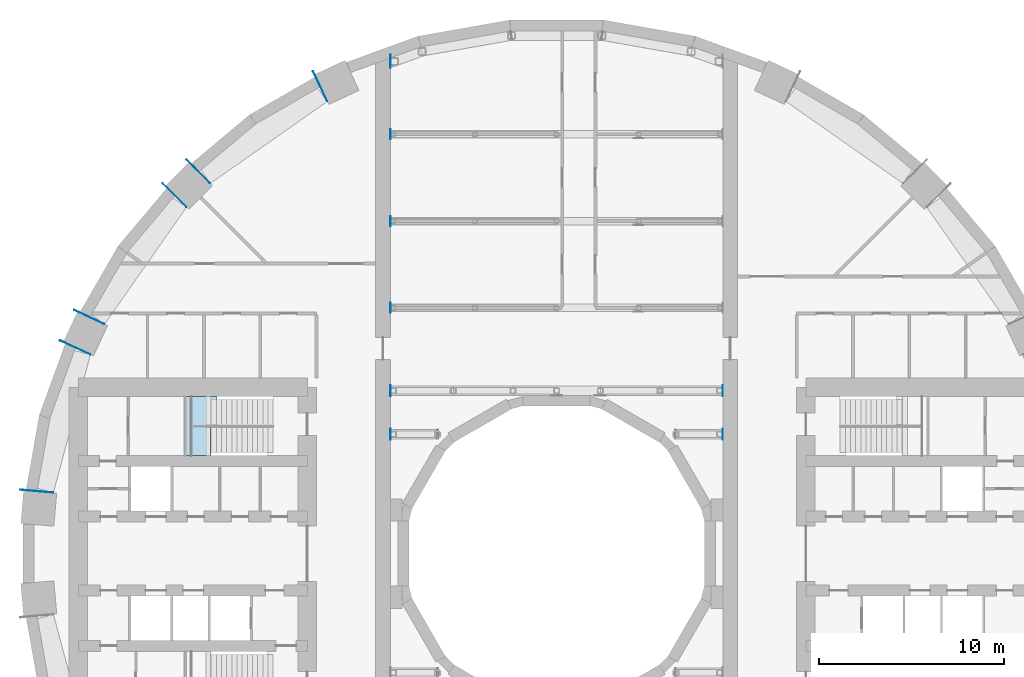
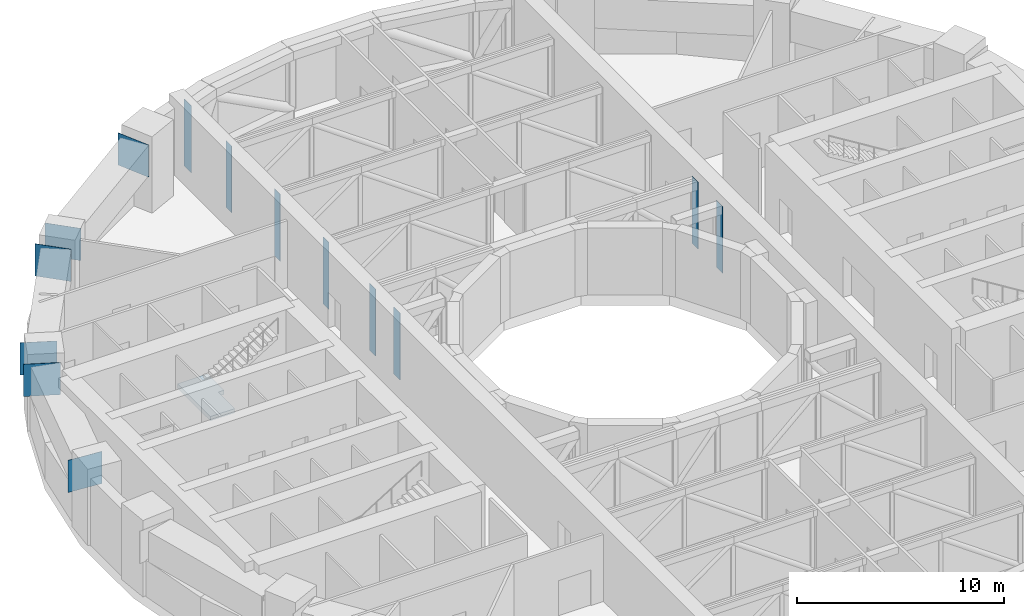
# One storey, part 11 of 21: 14 plates, 1 slab, 1 element without a shape of its own.
"""IFC4 building model written with IfcOpenShell, lengths in metres."""

from ifc_helpers import new_model, si_unit, direction, frame, origin, place, context, subcontext, project, spatial, polyline, outline, extrude, material, layer, layer_set, type_object, element, aggregate, save


model = new_model("IFC4")

# Units and contexts
model_context = context("Model", 3, precision=1e-05, world=origin(), true_north=direction((0.0, 1.0)))
body_context = subcontext(model_context, "Body", "Model", "MODEL_VIEW")
ifc_project = project(units=[si_unit("LENGTHUNIT", "METRE"), si_unit("AREAUNIT", "SQUARE_METRE"), si_unit("VOLUMEUNIT", "CUBIC_METRE"), si_unit("PLANEANGLEUNIT", "RADIAN"), si_unit("MASSUNIT", "GRAM", prefix="KILO")], contexts=[model_context])

# Site, building, storey
site_placement = place(None, origin())
site = spatial("IfcSite", under=ifc_project, at=site_placement, CompositionType="ELEMENT")
building_placement = place(site_placement, origin())
building = spatial("IfcBuilding", under=site, at=building_placement, Name="Saqina Gate Tower", CompositionType="ELEMENT")
storey_placement = place(building_placement, frame((0.0, 0.0, 21.800048828125)))
storey = spatial("IfcBuildingStorey", under=building, at=storey_placement, Name="L05", CompositionType="ELEMENT", Elevation=21.800048828125)

# Stair, slab
ifc_material_1 = material(Name="Concrete C40/50", Category="concrete")
stair_type = type_object("IfcStairType", Name="EXIT STAIR", PredefinedType="HALF_TURN_STAIR", material=ifc_material_1)
stair_placement = place(storey_placement, origin())
stair = element("IfcStair", 1, at=stair_placement, inside=storey, type_object=stair_type, Name="EXIT STAIR 3", PredefinedType="HALF_TURN_STAIR")
ifc_material_2 = material(Name="Concrete C40/50", Category="concrete")
ifc_layer_1 = layer(ifc_material_2, 0.25)
ifc_layer_set_1 = layer_set([ifc_layer_1], Name="Concrete C40/50")
slab_type = type_object("IfcSlabType", Name="EXIT STAIR LANDING", PredefinedType="LANDING", material=ifc_layer_set_1)
slab_placement = place(storey_placement, frame((0.0, 0.0, 2.0)))
slab = element("IfcSlab", 2, at=slab_placement, type_object=slab_type, Name="EXIT STAIR 3 LANDING 1", PredefinedType="LANDING", context=body_context, shape_type="SweptSolid", body=[
    extrude(outline(polyline([(-18.705078125, 5.300048828125), (-20.06005859375, 5.300048828125), (-20.06005859375, 8.5), (-18.7099609375, 8.5), (-18.705078125, 8.5), (-18.384765625, 8.5), (-18.384765625, 6.89990234375), (-18.705078125, 6.89990234375), (-18.705078125, 5.300048828125)])), origin(), (0.0, 0.0, 1.0), 0.25),
])
aggregate(stair, [slab])

# Plates
ifc_material_3 = material(Name="Steel S460", Category="steel")
ifc_layer_2 = layer(ifc_material_3, 0.01806640625)
ifc_layer_set_2 = layer_set([ifc_layer_2], Name="Steel S460")
plate_type = type_object("IfcPlateType", Name="STR-BEARING PLATE", PredefinedType="USERDEFINED", material=ifc_layer_set_2)
plate_1_placement = place(storey_placement, origin())
element("IfcPlate", 3, at=plate_1_placement, inside=storey, type_object=plate_type, Name="BEARING PLATE L05 01", ObjectType="EMBED PLATE", PredefinedType="USERDEFINED", context=body_context, shape_type="SweptSolid", body=[
    extrude(outline(polyline([(-8.98193359375, 26.296142578125), (-8.98193359375, 26.996337890625), (-9.0, 26.996337890625), (-9.0, 26.296142578125), (-8.98193359375, 26.296142578125)])), origin(), (0.0, 0.0, 1.0), 3.949951171875),
])
plate_2_placement = place(storey_placement, origin())
element("IfcPlate", 4, at=plate_2_placement, inside=storey, type_object=plate_type, Name="BEARING PLATE L05 05", ObjectType="EMBED PLATE", PredefinedType="USERDEFINED", context=body_context, shape_type="SweptSolid", body=[
    extrude(outline(polyline([(-8.98193359375, 8.52099609375), (-8.98193359375, 9.12109375), (-9.0, 9.12109375), (-9.0, 8.52099609375), (-8.98193359375, 8.52099609375)])), origin(), (0.0, 0.0, 1.0), 3.949951171875),
])
plate_3_placement = place(storey_placement, origin())
element("IfcPlate", 5, at=plate_3_placement, inside=storey, type_object=plate_type, Name="BEARING PLATE L05 06", ObjectType="EMBED PLATE", PredefinedType="USERDEFINED", context=body_context, shape_type="SweptSolid", body=[
    extrude(outline(polyline([(9.0, 8.52099609375), (9.0, 9.12109375), (8.98193359375, 9.12109375), (8.98193359375, 8.52099609375), (9.0, 8.52099609375)])), origin(), (0.0, 0.0, 1.0), 3.949951171875),
])
plate_4_placement = place(storey_placement, origin())
element("IfcPlate", 6, at=plate_4_placement, inside=storey, type_object=plate_type, Name="BEARING PLATE L05 09", ObjectType="EMBED PLATE", PredefinedType="USERDEFINED", context=body_context, shape_type="SweptSolid", body=[
    extrude(outline(polyline([(-8.98193359375, 13.02490234375), (-8.98193359375, 13.574951171875), (-9.0, 13.574951171875), (-9.0, 13.02490234375), (-8.98193359375, 13.02490234375)])), origin(), (0.0, 0.0, 1.0), 3.949951171875),
])
plate_5_placement = place(storey_placement, origin())
element("IfcPlate", 7, at=plate_5_placement, inside=storey, type_object=plate_type, Name="BEARING PLATE L05 13", ObjectType="EMBED PLATE", PredefinedType="USERDEFINED", context=body_context, shape_type="SweptSolid", body=[
    extrude(outline(polyline([(-8.98193359375, 17.72509765625), (-8.98193359375, 18.27490234375), (-9.0, 18.27490234375), (-9.0, 17.72509765625), (-8.98193359375, 17.72509765625)])), origin(), (0.0, 0.0, 1.0), 3.949951171875),
])
plate_6_placement = place(storey_placement, origin())
element("IfcPlate", 8, at=plate_6_placement, inside=storey, type_object=plate_type, Name="BEARING PLATE L05 17", ObjectType="EMBED PLATE", PredefinedType="USERDEFINED", context=body_context, shape_type="SweptSolid", body=[
    extrude(outline(polyline([(-8.98193359375, 22.425048828125), (-8.98193359375, 22.97509765625), (-9.0, 22.97509765625), (-9.0, 22.425048828125), (-8.98193359375, 22.425048828125)])), origin(), (0.0, 0.0, 1.0), 3.949951171875),
])
plate_7_placement = place(storey_placement, origin())
element("IfcPlate", 9, at=plate_7_placement, inside=storey, type_object=plate_type, Name="BEARING PLATE L05 21", ObjectType="EMBED PLATE", PredefinedType="USERDEFINED", context=body_context, shape_type="SweptSolid", body=[
    extrude(outline(polyline([(9.0, 6.157470703125), (9.0, 6.757568359375), (8.98193359375, 6.757568359375), (8.98193359375, 6.157470703125), (9.0, 6.157470703125)])), origin(), (0.0, 0.0, 1.0), 3.949951171875),
])
plate_8_placement = place(storey_placement, origin())
element("IfcPlate", 10, at=plate_8_placement, inside=storey, type_object=plate_type, Name="BEARING PLATE L05 22", ObjectType="EMBED PLATE", PredefinedType="USERDEFINED", context=body_context, shape_type="SweptSolid", body=[
    extrude(outline(polyline([(-8.98193359375, 6.157470703125), (-8.98193359375, 6.757568359375), (-9.0, 6.757568359375), (-9.0, 6.157470703125), (-8.98193359375, 6.157470703125)])), origin(), (0.0, 0.0, 1.0), 3.949951171875),
])
plate_9_placement = place(storey_placement, frame((0.0, 0.0, 2.050048828125)))
element("IfcPlate", 11, at=plate_9_placement, inside=storey, type_object=plate_type, Name="BEARING PLATE L05 GIRDER 4 W", ObjectType="EMBED PLATE", PredefinedType="USERDEFINED", context=body_context, shape_type="SweptSolid", body=[
    extrude(outline(polyline([(-13.1923828125, 26.118896484375), (-12.431640625, 24.487548828125), (-12.415283203125, 24.4951171875), (-13.176025390625, 26.12646484375), (-13.1923828125, 26.118896484375)])), origin(), (0.0, 0.0, 1.0), 1.89990234375),
])
plate_10_placement = place(storey_placement, frame((0.0, 0.0, 2.050048828125)))
element("IfcPlate", 12, at=plate_10_placement, inside=storey, type_object=plate_type, Name="BEARING PLATE L05 GIRDER 4 E", ObjectType="EMBED PLATE", PredefinedType="USERDEFINED", context=body_context, shape_type="SweptSolid", body=[
    extrude(outline(polyline([(-18.7587890625, 20.05712890625), (-20.031494140625, 21.329833984375), (-20.04443359375, 21.317138671875), (-18.771484375, 20.04443359375), (-18.7587890625, 20.05712890625)])), origin(), (0.0, 0.0, 1.0), 1.89990234375),
])
plate_11_placement = place(storey_placement, frame((0.0, 0.0, 2.050048828125)))
element("IfcPlate", 13, at=plate_11_placement, inside=storey, type_object=plate_type, Name="BEARING PLATE L05 GIRDER 5 W", ObjectType="EMBED PLATE", PredefinedType="USERDEFINED", context=body_context, shape_type="SweptSolid", body=[
    extrude(outline(polyline([(-21.329833984375, 20.031494140625), (-20.05712890625, 18.7587890625), (-20.04443359375, 18.771484375), (-21.317138671875, 20.04443359375), (-21.329833984375, 20.031494140625)])), origin(), (0.0, 0.0, 1.0), 1.89990234375),
])
plate_12_placement = place(storey_placement, frame((0.0, 0.0, 2.050048828125)))
element("IfcPlate", 14, at=plate_12_placement, inside=storey, type_object=plate_type, Name="BEARING PLATE L05 GIRDER 5 E", ObjectType="EMBED PLATE", PredefinedType="USERDEFINED", context=body_context, shape_type="SweptSolid", body=[
    extrude(outline(polyline([(-24.487548828125, 12.431640625), (-26.118896484375, 13.1923828125), (-26.12646484375, 13.176025390625), (-24.4951171875, 12.415283203125), (-24.487548828125, 12.431640625)])), origin(), (0.0, 0.0, 1.0), 1.89990234375),
])
plate_13_placement = place(storey_placement, frame((0.0, 0.0, 2.050048828125)))
element("IfcPlate", 15, at=plate_13_placement, inside=storey, type_object=plate_type, Name="BEARING PLATE L05 GIRDER 6 W", ObjectType="EMBED PLATE", PredefinedType="USERDEFINED", context=body_context, shape_type="SweptSolid", body=[
    extrude(outline(polyline([(-26.894775390625, 11.5283203125), (-25.263427734375, 10.767578125), (-25.255859375, 10.783935546875), (-26.88720703125, 11.544677734375), (-26.894775390625, 11.5283203125)])), origin(), (0.0, 0.0, 1.0), 1.89990234375),
])
plate_14_placement = place(storey_placement, frame((0.0, 0.0, 2.050048828125)))
element("IfcPlate", 16, at=plate_14_placement, inside=storey, type_object=plate_type, Name="BEARING PLATE L05 GIRDER 6 E", ObjectType="EMBED PLATE", PredefinedType="USERDEFINED", context=body_context, shape_type="SweptSolid", body=[
    extrude(outline(polyline([(-27.262451171875, 3.306640625), (-29.0556640625, 3.463623046875), (-29.05712890625, 3.445556640625), (-27.26416015625, 3.288818359375), (-27.262451171875, 3.306640625)])), origin(), (0.0, 0.0, 1.0), 1.89990234375),
])

save(model, "model.ifc")
